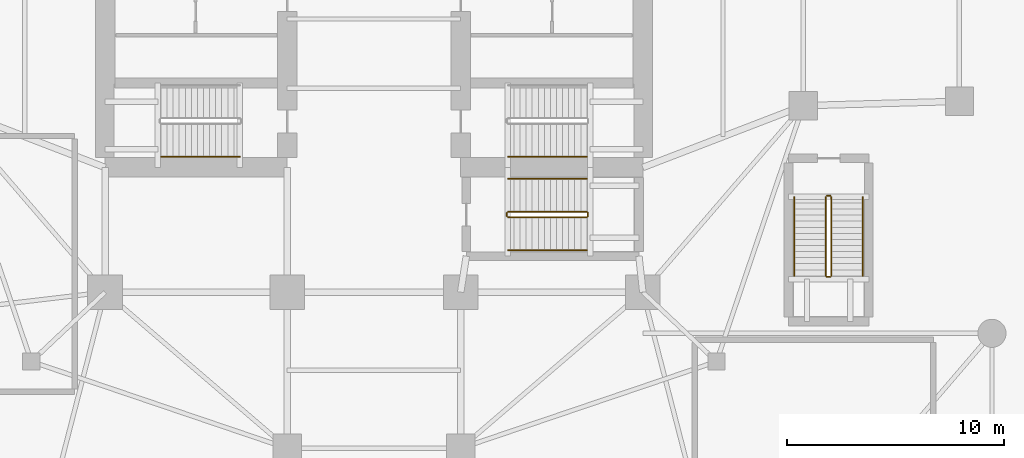
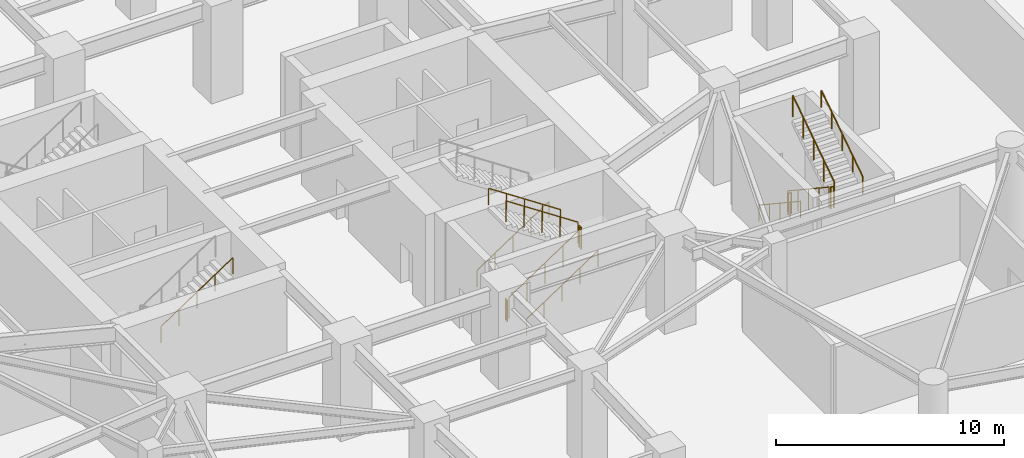
# One storey, part 8 of 12: 14 railings.
"""IFC4 building model written with IfcOpenShell, lengths in metres."""

from ifc_helpers import new_model, si_unit, direction, frame, origin, origin_2d, place, context, subcontext, project, spatial, circle, extrude, material, type_object, element, save


model = new_model("IFC4")

# Units and contexts
model_context = context("Model", 3, precision=1e-05, world=origin(), true_north=direction((0.0, 1.0)))
body_context = subcontext(model_context, "Body", "Model", "MODEL_VIEW")
ifc_project = project(units=[si_unit("LENGTHUNIT", "METRE"), si_unit("AREAUNIT", "SQUARE_METRE"), si_unit("VOLUMEUNIT", "CUBIC_METRE"), si_unit("PLANEANGLEUNIT", "RADIAN"), si_unit("MASSUNIT", "GRAM", prefix="KILO")], contexts=[model_context])

# Site, building, storey
site_placement = place(None, origin())
site = spatial("IfcSite", under=ifc_project, at=site_placement, CompositionType="ELEMENT")
building_placement = place(site_placement, origin())
building = spatial("IfcBuilding", under=site, at=building_placement, Name="Qingluan Cross Belvedere", CompositionType="ELEMENT")
storey_placement = place(building_placement, frame((0.0, 0.0, -5.199951171875)))
storey = spatial("IfcBuildingStorey", under=building, at=storey_placement, Name="B1", CompositionType="ELEMENT", Elevation=-5.199951171875)

# Railings
ifc_material_1 = material(Name="Brushed stainless steel tubular handrail", Category="steel")
railing_type_1 = type_object("IfcRailingType", Name="StairPitchHandrail_900", PredefinedType="HANDRAIL", material=ifc_material_1)
for number, where, name in (
    (1, (-9.820068359375, -6.35009765625, 2.78564453125), "B1 ST1 stair handrail 2"),
    (2, (6.179931640625, -6.35009765625, 0.185546875), "B1 ST2 stair handrail 1"),
    (3, (6.179931640625, -10.669921875, 0.185546875), "B1 ST4 stair handrail 1"),
):
    element("IfcRailing", number, at=place(storey_placement, frame(where)), inside=storey, type_object=railing_type_1, Name=name, PredefinedType="HANDRAIL", context=body_context, shape_type="SweptSolid", body=[
        extrude(circle(Radius=0.02392578125, at=origin_2d()), frame((0.0, 0.0, 0.8759765625), z_axis=(0.833363587613, 0.0, 0.552725185641), x_axis=(0.0, 1.0, 0.0)), (0.0, 0.0, 1.0), 4.367919921875),
        extrude(circle(Radius=0.02099609375, at=origin_2d()), origin(), (0.0, 0.0, 1.0), 0.851806640625),
        extrude(circle(Radius=0.02099609375, at=origin_2d()), frame((0.91015625, 0.0, 0.603515625)), (0.0, 0.0, 1.0), 0.851806640625),
        extrude(circle(Radius=0.02099609375, at=origin_2d()), frame((1.820068359375, 0.0, 1.20703125)), (0.0, 0.0, 1.0), 0.851806640625),
        extrude(circle(Radius=0.02099609375, at=origin_2d()), frame((2.72998046875, 0.0, 1.810791015625)), (0.0, 0.0, 1.0), 0.851806640625),
        extrude(circle(Radius=0.02099609375, at=origin_2d()), frame((3.64013671875, 0.0, 2.414306640625)), (0.0, 0.0, 1.0), 0.851806640625),
    ])
railing_1_placement = place(storey_placement, frame((9.820068359375, -7.3701171875, 2.78564453125)))
element("IfcRailing", 4, at=railing_1_placement, inside=storey, type_object=railing_type_1, Name="B1 ST4 stair handrail 2", PredefinedType="HANDRAIL", context=body_context, shape_type="SweptSolid", body=[
    extrude(circle(Radius=0.02392578125, at=origin_2d()), frame((0.0, 0.0, 0.8759765625), z_axis=(-0.833363587613, 0.0, 0.552725185641), x_axis=(0.0, -1.0, 0.0)), (0.0, 0.0, 1.0), 4.367919921875),
    extrude(circle(Radius=0.02099609375, at=origin_2d()), origin(), (0.0, 0.0, 1.0), 0.851806640625),
    extrude(circle(Radius=0.02099609375, at=origin_2d()), frame((-0.91015625, 0.0, 0.603515625)), (0.0, 0.0, 1.0), 0.851806640625),
    extrude(circle(Radius=0.02099609375, at=origin_2d()), frame((-1.820068359375, 0.0, 1.20703125)), (0.0, 0.0, 1.0), 0.851806640625),
    extrude(circle(Radius=0.02099609375, at=origin_2d()), frame((-2.72998046875, 0.0, 1.810791015625)), (0.0, 0.0, 1.0), 0.851806640625),
    extrude(circle(Radius=0.02099609375, at=origin_2d()), frame((-3.64013671875, 0.0, 2.414306640625)), (0.0, 0.0, 1.0), 0.851806640625),
])
railing_2_placement = place(storey_placement, frame((19.389892578125, -8.2099609375, 0.185546875)))
element("IfcRailing", 5, at=railing_2_placement, inside=storey, type_object=railing_type_1, Name="B1 ST6 stair handrail 1", PredefinedType="HANDRAIL", context=body_context, shape_type="SweptSolid", body=[
    extrude(circle(Radius=0.02392578125, at=origin_2d()), frame((0.0, 0.0, 0.8759765625), z_axis=(0.0, -0.833363587613, 0.552725185641), x_axis=(1.0, 0.0, 0.0)), (0.0, 0.0, 1.0), 4.367919921875),
    extrude(circle(Radius=0.02099609375, at=origin_2d()), origin(), (0.0, 0.0, 1.0), 0.851806640625),
    extrude(circle(Radius=0.02099609375, at=origin_2d()), frame((0.0, -0.91015625, 0.603515625)), (0.0, 0.0, 1.0), 0.851806640625),
    extrude(circle(Radius=0.02099609375, at=origin_2d()), frame((0.0, -1.820068359375, 1.20703125)), (0.0, 0.0, 1.0), 0.851806640625),
    extrude(circle(Radius=0.02099609375, at=origin_2d()), frame((0.0, -2.72998046875, 1.810791015625)), (0.0, 0.0, 1.0), 0.851806640625),
    extrude(circle(Radius=0.02099609375, at=origin_2d()), frame((0.0, -3.64013671875, 2.414306640625)), (0.0, 0.0, 1.0), 0.851806640625),
])
railing_3_placement = place(storey_placement, frame((22.550048828125, -11.85009765625, 2.78564453125)))
element("IfcRailing", 6, at=railing_3_placement, inside=storey, type_object=railing_type_1, Name="B1 ST6 stair handrail 2", PredefinedType="HANDRAIL", context=body_context, shape_type="SweptSolid", body=[
    extrude(circle(Radius=0.02392578125, at=origin_2d()), frame((0.0, 0.0, 0.8759765625), z_axis=(0.0, 0.833363587613, 0.552725185641), x_axis=(-1.0, 0.0, 0.0)), (0.0, 0.0, 1.0), 4.367919921875),
    extrude(circle(Radius=0.02099609375, at=origin_2d()), origin(), (0.0, 0.0, 1.0), 0.851806640625),
    extrude(circle(Radius=0.02099609375, at=origin_2d()), frame((0.0, 0.91015625, 0.603515625)), (0.0, 0.0, 1.0), 0.851806640625),
    extrude(circle(Radius=0.02099609375, at=origin_2d()), frame((0.0, 1.820068359375, 1.20703125)), (0.0, 0.0, 1.0), 0.851806640625),
    extrude(circle(Radius=0.02099609375, at=origin_2d()), frame((0.0, 2.72998046875, 1.810791015625)), (0.0, 0.0, 1.0), 0.851806640625),
    extrude(circle(Radius=0.02099609375, at=origin_2d()), frame((0.0, 3.64013671875, 2.414306640625)), (0.0, 0.0, 1.0), 0.851806640625),
])
ifc_material_2 = material(Name="Painted steel stair well guard", Category="steel")
railing_type_2 = type_object("IfcRailingType", Name="StairWellGuard_1150", PredefinedType="BALUSTRADE", material=ifc_material_2)
railing_4_placement = place(storey_placement, frame((6.179931640625, -9.14990234375, 0.185546875)))
element("IfcRailing", 7, at=railing_4_placement, inside=storey, type_object=railing_type_2, Name="B1 ST4 stair guard 1", PredefinedType="BALUSTRADE", context=body_context, shape_type="SweptSolid", body=[
    extrude(circle(Radius=0.02392578125, at=origin_2d()), frame((0.0, 0.0, 1.1259765625), z_axis=(0.833363587613, 0.0, 0.552725185641), x_axis=(0.0, 1.0, 0.0)), (0.0, 0.0, 1.0), 4.367919921875),
    extrude(circle(Radius=0.02099609375, at=origin_2d()), origin(), (0.0, 0.0, 1.0), 1.101806640625),
    extrude(circle(Radius=0.02099609375, at=origin_2d()), frame((0.91015625, 0.0, 0.603515625)), (0.0, 0.0, 1.0), 1.101806640625),
    extrude(circle(Radius=0.02099609375, at=origin_2d()), frame((1.820068359375, 0.0, 1.20703125)), (0.0, 0.0, 1.0), 1.101806640625),
    extrude(circle(Radius=0.02099609375, at=origin_2d()), frame((2.72998046875, 0.0, 1.810791015625)), (0.0, 0.0, 1.0), 1.101806640625),
    extrude(circle(Radius=0.02099609375, at=origin_2d()), frame((3.64013671875, 0.0, 2.414306640625)), (0.0, 0.0, 1.0), 1.101806640625),
])
railing_5_placement = place(storey_placement, frame((9.8701171875, -9.10009765625, 2.599853515625)))
element("IfcRailing", 8, at=railing_5_placement, inside=storey, type_object=railing_type_2, Name="B1 ST4 stair guard 2", PredefinedType="BALUSTRADE", context=body_context, shape_type="SweptSolid", body=[
    extrude(circle(Radius=0.02392578125, at=origin_2d()), frame((0.0, 0.0, 1.1259765625), z_axis=(0.0, 1.0, 0.0), x_axis=(-1.0, 0.0, 0.0)), (0.0, 0.0, 1.0), 0.16015625),
    extrude(circle(Radius=0.02099609375, at=origin_2d()), origin(), (0.0, 0.0, 1.0), 1.101806640625),
    extrude(circle(Radius=0.02099609375, at=origin_2d()), frame((0.0, 0.16015625, 0.0)), (0.0, 0.0, 1.0), 1.101806640625),
])
railing_6_placement = place(storey_placement, frame((9.820068359375, -8.889892578125, 2.78564453125)))
element("IfcRailing", 9, at=railing_6_placement, inside=storey, type_object=railing_type_2, Name="B1 ST4 stair guard 3", PredefinedType="BALUSTRADE", context=body_context, shape_type="SweptSolid", body=[
    extrude(circle(Radius=0.02392578125, at=origin_2d()), frame((0.0, 0.0, 1.1259765625), z_axis=(-0.833363587613, 0.0, 0.552725185641), x_axis=(0.0, -1.0, 0.0)), (0.0, 0.0, 1.0), 4.367919921875),
    extrude(circle(Radius=0.02099609375, at=origin_2d()), origin(), (0.0, 0.0, 1.0), 1.101806640625),
    extrude(circle(Radius=0.02099609375, at=origin_2d()), frame((-0.91015625, 0.0, 0.603515625)), (0.0, 0.0, 1.0), 1.101806640625),
    extrude(circle(Radius=0.02099609375, at=origin_2d()), frame((-1.820068359375, 0.0, 1.20703125)), (0.0, 0.0, 1.0), 1.101806640625),
    extrude(circle(Radius=0.02099609375, at=origin_2d()), frame((-2.72998046875, 0.0, 1.810791015625)), (0.0, 0.0, 1.0), 1.101806640625),
    extrude(circle(Radius=0.02099609375, at=origin_2d()), frame((-3.64013671875, 0.0, 2.414306640625)), (0.0, 0.0, 1.0), 1.101806640625),
])
railing_7_placement = place(storey_placement, frame((6.1298828125, -9.10009765625, 0.0)))
element("IfcRailing", 10, at=railing_7_placement, inside=storey, type_object=railing_type_2, Name="B1 ST4 stair guard 4", PredefinedType="BALUSTRADE", context=body_context, shape_type="SweptSolid", body=[
    extrude(circle(Radius=0.02392578125, at=origin_2d()), frame((0.0, 0.0, 1.1259765625), z_axis=(0.0, 1.0, 0.0), x_axis=(-1.0, 0.0, 0.0)), (0.0, 0.0, 1.0), 0.16015625),
    extrude(circle(Radius=0.02099609375, at=origin_2d()), origin(), (0.0, 0.0, 1.0), 1.101806640625),
    extrude(circle(Radius=0.02099609375, at=origin_2d()), frame((0.0, 0.16015625, 0.0)), (0.0, 0.0, 1.0), 1.101806640625),
])
railing_8_placement = place(storey_placement, frame((20.840087890625, -8.2099609375, 0.185546875)))
element("IfcRailing", 11, at=railing_8_placement, inside=storey, type_object=railing_type_2, Name="B1 ST6 stair guard 1", PredefinedType="BALUSTRADE", context=body_context, shape_type="SweptSolid", body=[
    extrude(circle(Radius=0.02392578125, at=origin_2d()), frame((0.0, 0.0, 1.1259765625), z_axis=(0.0, -0.833363587613, 0.552725185641), x_axis=(1.0, 0.0, 0.0)), (0.0, 0.0, 1.0), 4.367919921875),
    extrude(circle(Radius=0.02099609375, at=origin_2d()), origin(), (0.0, 0.0, 1.0), 1.101806640625),
    extrude(circle(Radius=0.02099609375, at=origin_2d()), frame((0.0, -0.91015625, 0.603515625)), (0.0, 0.0, 1.0), 1.101806640625),
    extrude(circle(Radius=0.02099609375, at=origin_2d()), frame((0.0, -1.820068359375, 1.20703125)), (0.0, 0.0, 1.0), 1.101806640625),
    extrude(circle(Radius=0.02099609375, at=origin_2d()), frame((0.0, -2.72998046875, 1.810791015625)), (0.0, 0.0, 1.0), 1.101806640625),
    extrude(circle(Radius=0.02099609375, at=origin_2d()), frame((0.0, -3.64013671875, 2.414306640625)), (0.0, 0.0, 1.0), 1.101806640625),
])
railing_9_placement = place(storey_placement, frame((20.889892578125, -11.89990234375, 2.599853515625)))
element("IfcRailing", 12, at=railing_9_placement, inside=storey, type_object=railing_type_2, Name="B1 ST6 stair guard 2", PredefinedType="BALUSTRADE", context=body_context, shape_type="SweptSolid", body=[
    extrude(circle(Radius=0.02392578125, at=origin_2d()), frame((0.0, 0.0, 1.1259765625), z_axis=(1.0, 0.0, 0.0), x_axis=(0.0, 1.0, 0.0)), (0.0, 0.0, 1.0), 0.16015625),
    extrude(circle(Radius=0.02099609375, at=origin_2d()), origin(), (0.0, 0.0, 1.0), 1.101806640625),
    extrude(circle(Radius=0.02099609375, at=origin_2d()), frame((0.16015625, 0.0, 0.0)), (0.0, 0.0, 1.0), 1.101806640625),
])
railing_10_placement = place(storey_placement, frame((21.10009765625, -11.85009765625, 2.78564453125)))
element("IfcRailing", 13, at=railing_10_placement, inside=storey, type_object=railing_type_2, Name="B1 ST6 stair guard 3", PredefinedType="BALUSTRADE", context=body_context, shape_type="SweptSolid", body=[
    extrude(circle(Radius=0.02392578125, at=origin_2d()), frame((0.0, 0.0, 1.1259765625), z_axis=(0.0, 0.833363587613, 0.552725185641), x_axis=(-1.0, 0.0, 0.0)), (0.0, 0.0, 1.0), 4.367919921875),
    extrude(circle(Radius=0.02099609375, at=origin_2d()), origin(), (0.0, 0.0, 1.0), 1.101806640625),
    extrude(circle(Radius=0.02099609375, at=origin_2d()), frame((0.0, 0.91015625, 0.603515625)), (0.0, 0.0, 1.0), 1.101806640625),
    extrude(circle(Radius=0.02099609375, at=origin_2d()), frame((0.0, 1.820068359375, 1.20703125)), (0.0, 0.0, 1.0), 1.101806640625),
    extrude(circle(Radius=0.02099609375, at=origin_2d()), frame((0.0, 2.72998046875, 1.810791015625)), (0.0, 0.0, 1.0), 1.101806640625),
    extrude(circle(Radius=0.02099609375, at=origin_2d()), frame((0.0, 3.64013671875, 2.414306640625)), (0.0, 0.0, 1.0), 1.101806640625),
])
railing_11_placement = place(storey_placement, frame((20.889892578125, -8.159912109375, 0.0)))
element("IfcRailing", 14, at=railing_11_placement, inside=storey, type_object=railing_type_2, Name="B1 ST6 stair guard 4", PredefinedType="BALUSTRADE", context=body_context, shape_type="SweptSolid", body=[
    extrude(circle(Radius=0.02392578125, at=origin_2d()), frame((0.0, 0.0, 1.1259765625), z_axis=(1.0, 0.0, 0.0), x_axis=(0.0, 1.0, 0.0)), (0.0, 0.0, 1.0), 0.16015625),
    extrude(circle(Radius=0.02099609375, at=origin_2d()), origin(), (0.0, 0.0, 1.0), 1.101806640625),
    extrude(circle(Radius=0.02099609375, at=origin_2d()), frame((0.16015625, 0.0, 0.0)), (0.0, 0.0, 1.0), 1.101806640625),
])

save(model, "model.ifc")
